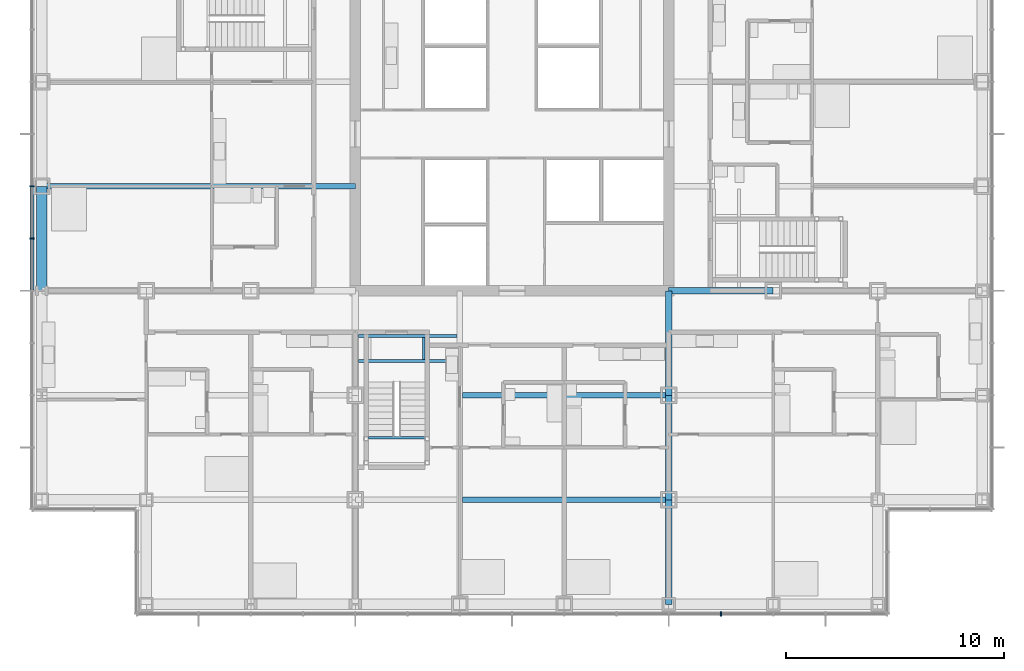
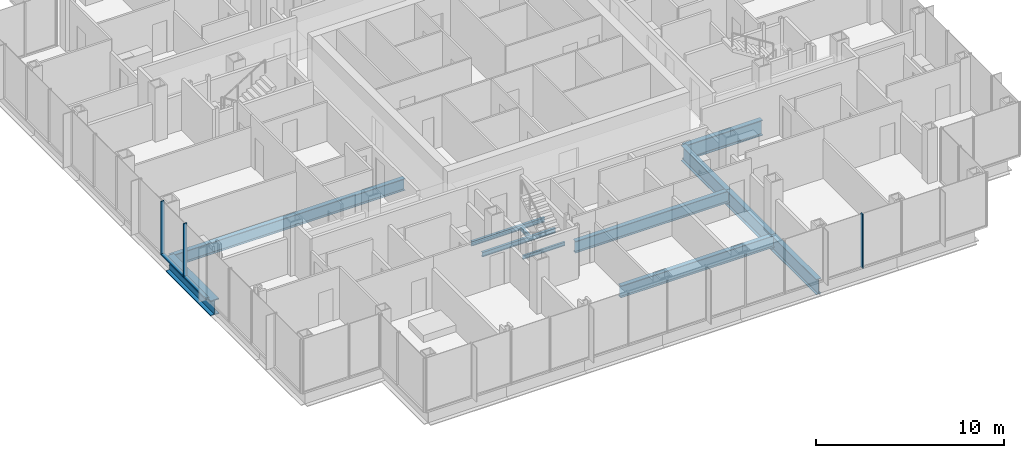
# One storey, part 7 of 21: 12 beams, 5 members, 2 elements without a shape of their own.
"""IFC4 building model written with IfcOpenShell, lengths in metres."""

from ifc_helpers import new_model, si_unit, direction, frame, origin, origin_2d, place, context, subcontext, project, spatial, rectangle, i_section, extrude, material, material_profile, profile_set, type_object, element, aggregate, save


model = new_model("IFC4")

# Units and contexts
model_context = context("Model", 3, precision=1e-05, world=origin(), true_north=direction((0.0, 1.0)))
body_context = subcontext(model_context, "Body", "Model", "MODEL_VIEW")
ifc_project = project(units=[si_unit("LENGTHUNIT", "METRE"), si_unit("AREAUNIT", "SQUARE_METRE"), si_unit("VOLUMEUNIT", "CUBIC_METRE"), si_unit("PLANEANGLEUNIT", "RADIAN"), si_unit("MASSUNIT", "GRAM", prefix="KILO")], contexts=[model_context])

# Site, building, storey
site_placement = place(None, origin())
site = spatial("IfcSite", under=ifc_project, at=site_placement, CompositionType="ELEMENT")
building_placement = place(site_placement, origin())
building = spatial("IfcBuilding", under=site, at=building_placement, Name="Kvirike Care Tower", CompositionType="ELEMENT")
storey_placement = place(building_placement, frame((0.0, 0.0, 37.5)))
storey = spatial("IfcBuildingStorey", under=building, at=storey_placement, Name="L09", CompositionType="ELEMENT", Elevation=37.5)

# Curtain wall, members
ifc_material_1 = material(Name="Anodised aluminium stick system", Category="aluminium")
curtain_wall_type = type_object("IfcCurtainWallType", Name="CW-A STICK CURTAIN WALL", PredefinedType="NOTDEFINED", material=ifc_material_1)
curtain_wall_1_placement = place(storey_placement, origin())
curtain_wall_1 = element("IfcCurtainWall", 1, at=curtain_wall_1_placement, inside=storey, type_object=curtain_wall_type, Name="Curtain wall L09 face 1", PredefinedType="NOTDEFINED")
ifc_material_2 = material(Name="Bronze anodised aluminium mullion", Category="aluminium")
ifc_material_profile_1 = material_profile(ifc_material_2, rectangle(XDim=0.06494140625, YDim=0.199951171875, at=origin_2d()), Name="CW-A MULLION 65x200")
ifc_profile_set_1 = profile_set([ifc_material_profile_1], Name="Bronze anodised aluminium mullion")
member_type_1 = type_object("IfcMemberType", Name="CW-A MULLION 65x200", PredefinedType="MULLION", material=ifc_profile_set_1)
member_1_placement = place(storey_placement, frame((-0.449951171875, 33.60009765625, 0.0), z_axis=(0.0, 0.0, 1.0), x_axis=(0.0, -1.0, 0.0)))
member_1 = element("IfcMember", 2, at=member_1_placement, type_object=member_type_1, Name="CW-A mullion L09 face 1.9", PredefinedType="MULLION", context=body_context, shape_type="SweptSolid", body=[
    extrude(rectangle(XDim=0.06494140625, YDim=0.199951171875, at=origin_2d()), origin(), (0.0, 0.0, 1.0), 3.5),
])
member_2_placement = place(storey_placement, frame((-0.449951171875, 31.199951171875, 0.0), z_axis=(0.0, 0.0, 1.0), x_axis=(0.0, -1.0, 0.0)))
member_2 = element("IfcMember", 3, at=member_2_placement, type_object=member_type_1, Name="CW-A mullion L09 face 1.10", PredefinedType="MULLION", context=body_context, shape_type="SweptSolid", body=[
    extrude(rectangle(XDim=0.06494140625, YDim=0.199951171875, at=origin_2d()), origin(), (0.0, 0.0, 1.0), 3.5),
])

# Curtain wall, member
curtain_wall_2_placement = place(storey_placement, origin())
curtain_wall_2 = element("IfcCurtainWall", 4, at=curtain_wall_2_placement, inside=storey, type_object=curtain_wall_type, Name="Curtain wall L09 face 4", PredefinedType="NOTDEFINED")
member_3_placement = place(storey_placement, frame((31.199951171875, 13.949951171875, 0.0), z_axis=(0.0, 0.0, 1.0), x_axis=(1.0, 0.0, 0.0)))
member_3 = element("IfcMember", 5, at=member_3_placement, type_object=member_type_1, Name="CW-A mullion L09 face 4.12", PredefinedType="MULLION", context=body_context, shape_type="SweptSolid", body=[
    extrude(rectangle(XDim=0.06494140625, YDim=0.199951171875, at=origin_2d()), origin(), (0.0, 0.0, 1.0), 3.5),
])
aggregate(curtain_wall_2, [member_3])

# Member
ifc_material_3 = material(Name="Bronze anodised aluminium transom", Category="aluminium")
ifc_material_profile_2 = material_profile(ifc_material_3, rectangle(XDim=0.199951171875, YDim=0.10009765625, at=origin_2d()), Name="CW-A TRANSOM 200x100")
ifc_profile_set_2 = profile_set([ifc_material_profile_2], Name="Bronze anodised aluminium transom")
member_type_2 = type_object("IfcMemberType", Name="CW-A TRANSOM 200x100", PredefinedType="USERDEFINED", material=ifc_profile_set_2)
member_4_placement = place(storey_placement, frame((-0.449951171875, 33.5673828125, 0.050048828125), z_axis=(0.0, -1.0, 0.0), x_axis=(1.0, 0.0, 0.0)))
member_4 = element("IfcMember", 6, at=member_4_placement, type_object=member_type_2, Name="CW-A sill transom L09 face 1.9", ObjectType="TRANSOM", PredefinedType="USERDEFINED", context=body_context, shape_type="SweptSolid", body=[
    extrude(rectangle(XDim=0.199951171875, YDim=0.10009765625, at=origin_2d()), origin(), (0.0, 0.0, 1.0), 2.3349609375),
])

member_5_placement = place(storey_placement, frame((-0.449951171875, 31.16748046875, 0.050048828125), z_axis=(0.0, -1.0, 0.0), x_axis=(1.0, 0.0, 0.0)))
member_5 = element("IfcMember", 7, at=member_5_placement, type_object=member_type_2, Name="CW-A sill transom L09 face 1.10", ObjectType="TRANSOM", PredefinedType="USERDEFINED", context=body_context, shape_type="SweptSolid", body=[
    extrude(rectangle(XDim=0.199951171875, YDim=0.10009765625, at=origin_2d()), origin(), (0.0, 0.0, 1.0), 2.3349609375),
])

aggregate(curtain_wall_1, [member_1, member_2, member_4, member_5])

# Beams
ifc_material_4 = material(Name="Steel S355", Category="steel")
ifc_material_profile_3 = material_profile(ifc_material_4, i_section(OverallWidth=0.26806640625, OverallDepth=0.77001953125, WebThickness=0.015625, FlangeThickness=0.025390625, FilletRadius=0.01708984375, at=origin_2d()), Name="IPE 750x196")
ifc_profile_set_3 = profile_set([ifc_material_profile_3], Name="Steel S355")
beam_type_1 = type_object("IfcBeamType", Name="FLOOR BEAM IPE 750x196", PredefinedType="BEAM", material=ifc_profile_set_3)
for number, where, z_axis, x_axis, name in (
    (8, (19.333984375, 19.199951171875, -0.554931640625), (1.0, 0.0, 0.0), (0.0, 1.0, 0.0), "Floor Beam E7-E9 L09"),
    (9, (19.333984375, 24.0, -0.554931640625), (1.0, 0.0, 0.0), (0.0, 1.0, 0.0), "Floor Beam F7-F9 L09"),
):
    element("IfcBeam", number, at=place(storey_placement, frame(where, z_axis=z_axis, x_axis=x_axis)), inside=storey, type_object=beam_type_1, Name=name, PredefinedType="BEAM", context=body_context, shape_type="SweptSolid", body=[
        extrude(i_section(OverallWidth=0.26806640625, OverallDepth=0.77001953125, WebThickness=0.015625, FlangeThickness=0.025390625, FilletRadius=0.01708984375, at=origin_2d()), origin(), (0.0, 0.0, 1.0), 9.466064453125),
    ])
beam_1_placement = place(storey_placement, frame((0.0, 33.60009765625, -0.554931640625), z_axis=(1.0, 0.0, 0.0), x_axis=(0.0, 1.0, 0.0)))
element("IfcBeam", 10, at=beam_1_placement, inside=storey, type_object=beam_type_1, Name="Floor Beam H3-H6 L09", PredefinedType="BEAM", context=body_context, shape_type="SweptSolid", body=[
    extrude(i_section(OverallWidth=0.26806640625, OverallDepth=0.77001953125, WebThickness=0.015625, FlangeThickness=0.025390625, FilletRadius=0.01708984375, at=origin_2d()), origin(), (0.0, 0.0, 1.0), 14.39990234375),
])
ifc_material_5 = material(Name="Steel S355", Category="steel")
ifc_material_profile_4 = material_profile(ifc_material_5, i_section(OverallWidth=0.300048828125, OverallDepth=1.0, WebThickness=0.01904296875, FlangeThickness=0.035888671875, FilletRadius=0.030029296875, at=origin_2d()), Name="HE 1000 B")
ifc_profile_set_4 = profile_set([ifc_material_profile_4], Name="Steel S355")
beam_type_2 = type_object("IfcBeamType", Name="FRAME BEAM HE 1000 B", PredefinedType="BEAM", material=ifc_profile_set_4)
for number, where, z_axis, x_axis, name in (
    (11, (28.800048828125, 28.800048828125, -0.669921875), (1.0, 0.0, 0.0), (0.0, 1.0, 0.0), "Frame Beam G9-G10 L09"),
    (12, (28.800048828125, 14.39990234375, -0.669921875), (0.0, 1.0, 0.0), (-1.0, 0.0, 0.0), "Frame Beam D9-E9 L09"),
    (13, (28.800048828125, 19.199951171875, -0.669921875), (0.0, 1.0, 0.0), (-1.0, 0.0, 0.0), "Frame Beam E9-F9 L09"),
    (14, (28.800048828125, 24.0, -0.669921875), (0.0, 1.0, 0.0), (-1.0, 0.0, 0.0), "Frame Beam F9-G9 L09"),
):
    element("IfcBeam", number, at=place(storey_placement, frame(where, z_axis=z_axis, x_axis=x_axis)), inside=storey, type_object=beam_type_2, Name=name, PredefinedType="BEAM", context=body_context, shape_type="SweptSolid", body=[
        extrude(i_section(OverallWidth=0.300048828125, OverallDepth=1.0, WebThickness=0.01904296875, FlangeThickness=0.035888671875, FilletRadius=0.030029296875, at=origin_2d()), origin(), (0.0, 0.0, 1.0), 4.800048828125),
    ])
ifc_material_6 = material(Name="Steel S355", Category="steel")
ifc_material_profile_5 = material_profile(ifc_material_6, i_section(OverallWidth=0.5, OverallDepth=1.0, WebThickness=0.030029296875, FlangeThickness=0.06005859375, at=origin_2d()), Name="PG 1000x500x30x60")
ifc_profile_set_5 = profile_set([ifc_material_profile_5], Name="Steel S355")
beam_type_3 = type_object("IfcBeamType", Name="SPANDREL PG 1000x500x30x60", PredefinedType="SPANDREL", material=ifc_profile_set_5)
beam_2_placement = place(storey_placement, frame((0.0, 28.800048828125, -0.669921875), z_axis=(0.0, 1.0, 0.0), x_axis=(-1.0, 0.0, 0.0)))
element("IfcBeam", 15, at=beam_2_placement, inside=storey, type_object=beam_type_3, Name="Spandrel G3-H3 L09", PredefinedType="SPANDREL", context=body_context, shape_type="SweptSolid", body=[
    extrude(i_section(OverallWidth=0.5, OverallDepth=1.0, WebThickness=0.030029296875, FlangeThickness=0.06005859375, at=origin_2d()), origin(), (0.0, 0.0, 1.0), 4.800048828125),
])
ifc_material_7 = material(Name="Steel S355", Category="steel")
ifc_material_profile_6 = material_profile(ifc_material_7, i_section(OverallWidth=0.1201171875, OverallDepth=0.239990234375, WebThickness=0.006103515625, FlangeThickness=0.009765625, FilletRadius=0.014892578125, at=origin_2d()), Name="IPE 240")
ifc_profile_set_6 = profile_set([ifc_material_profile_6], Name="Steel S355")
beam_type_4 = type_object("IfcBeamType", Name="STAIR LANDING BEAM IPE 240", PredefinedType="BEAM", material=ifc_profile_set_6)
beam_3_placement = place(storey_placement, frame((15.0, 22.0400390625, 1.429931640625), z_axis=(1.0, 0.0, 0.0), x_axis=(0.0, 1.0, 0.0)))
element("IfcBeam", 16, at=beam_3_placement, inside=storey, type_object=beam_type_4, Name="Stair 5 landing beam front L09", PredefinedType="BEAM", context=body_context, shape_type="SweptSolid", body=[
    extrude(i_section(OverallWidth=0.1201171875, OverallDepth=0.239990234375, WebThickness=0.006103515625, FlangeThickness=0.009765625, FilletRadius=0.014892578125, at=origin_2d()), origin(), (0.0, 0.0, 1.0), 2.60009765625),
])
beam_4_placement = place(storey_placement, frame((17.5400390625, 25.64990234375, -0.320068359375), z_axis=(0.0, 1.0, 0.0), x_axis=(-1.0, 0.0, 0.0)))
element("IfcBeam", 17, at=beam_4_placement, inside=storey, type_object=beam_type_4, Name="Stair 5 landing edge beam 2 L09", PredefinedType="BEAM", context=body_context, shape_type="SweptSolid", body=[
    extrude(i_section(OverallWidth=0.1201171875, OverallDepth=0.239990234375, WebThickness=0.006103515625, FlangeThickness=0.009765625, FilletRadius=0.014892578125, at=origin_2d()), origin(), (0.0, 0.0, 1.0), 1.0),
])
ifc_material_8 = material(Name="Steel S355", Category="steel")
ifc_material_profile_7 = material_profile(ifc_material_8, i_section(OverallWidth=0.14990234375, OverallDepth=0.300048828125, WebThickness=0.007080078125, FlangeThickness=0.0107421875, FilletRadius=0.014892578125, at=origin_2d()), Name="IPE 300")
ifc_profile_set_7 = profile_set([ifc_material_profile_7], Name="Steel S355")
beam_type_5 = type_object("IfcBeamType", Name="STAIR TRIMMER IPE 300", PredefinedType="BEAM", material=ifc_profile_set_7)
for number, where, z_axis, x_axis, name in (
    (18, (14.550048828125, 25.574951171875, -0.35009765625), (1.0, 0.0, 0.0), (0.0, 1.0, 0.0), "Stair 5 trimmer 1 L09"),
    (19, (14.550048828125, 26.72509765625, -0.35009765625), (1.0, 0.0, 0.0), (0.0, 1.0, 0.0), "Stair 5 trimmer 2 L09"),
):
    element("IfcBeam", number, at=place(storey_placement, frame(where, z_axis=z_axis, x_axis=x_axis)), inside=storey, type_object=beam_type_5, Name=name, PredefinedType="BEAM", context=body_context, shape_type="SweptSolid", body=[
        extrude(i_section(OverallWidth=0.14990234375, OverallDepth=0.300048828125, WebThickness=0.007080078125, FlangeThickness=0.0107421875, FilletRadius=0.014892578125, at=origin_2d()), origin(), (0.0, 0.0, 1.0), 4.515869140625),
    ])

save(model, "model.ifc")
